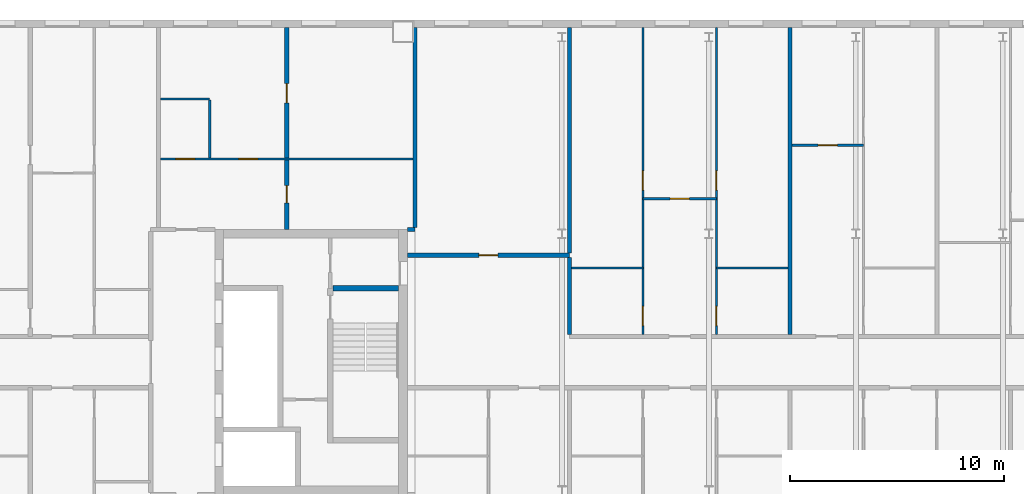
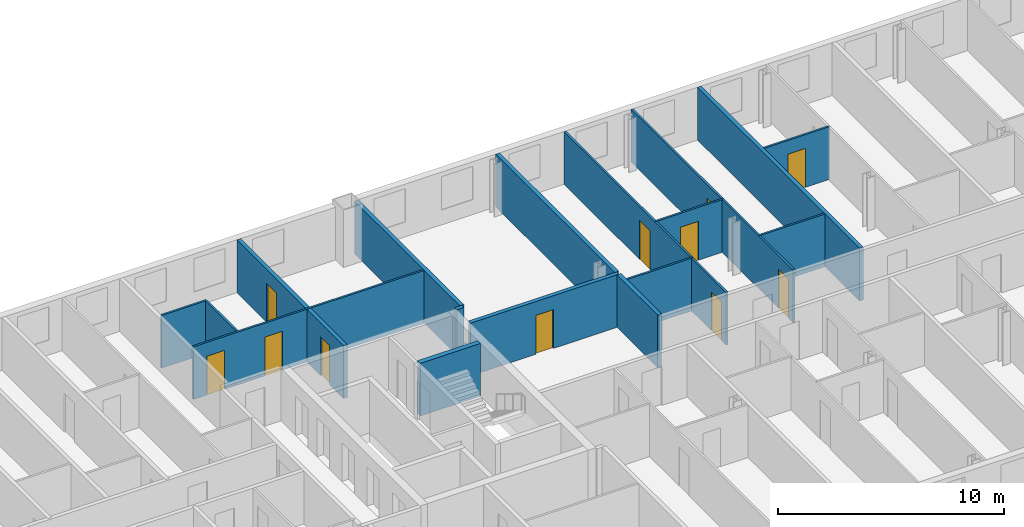
# One storey, part 9 of 19: 17 walls, 11 doors, 11 openings.
"""IFC4 building model written with IfcOpenShell, lengths in metres."""

from ifc_helpers import new_model, si_unit, direction, frame, frame_2d, origin, place, context, subcontext, project, spatial, rectangle, extrude, material, layer, layer_set, type_object, element, fill, save


model = new_model("IFC4")

# Units and contexts
model_context = context("Model", 3, precision=1e-05, world=origin(), true_north=direction((0.0, 1.0)))
body_context = subcontext(model_context, "Body", "Model", "MODEL_VIEW")
ifc_project = project(units=[si_unit("LENGTHUNIT", "METRE"), si_unit("AREAUNIT", "SQUARE_METRE"), si_unit("VOLUMEUNIT", "CUBIC_METRE"), si_unit("PLANEANGLEUNIT", "RADIAN"), si_unit("MASSUNIT", "GRAM", prefix="KILO")], contexts=[model_context])

# Site, building, storey
site_placement = place(None, origin())
site = spatial("IfcSite", under=ifc_project, at=site_placement, CompositionType="ELEMENT")
building_placement = place(site_placement, origin())
building = spatial("IfcBuilding", under=site, at=building_placement, Name="Tuart Gate Housing", CompositionType="ELEMENT")
storey_placement = place(building_placement, frame((0.0, 0.0, 202.800048828125)))
storey = spatial("IfcBuildingStorey", under=building, at=storey_placement, Name="L57", CompositionType="ELEMENT", Elevation=202.800048828125)

# Wall
ifc_material_1 = material(Name="Concrete C40", Category="concrete")
ifc_layer_1 = layer(ifc_material_1, 0.25)
ifc_layer_set_1 = layer_set([ifc_layer_1], Name="Core wall 250 C40")
wall_type_1 = type_object("IfcWallType", Name="Core wall 250 C40", PredefinedType="SHEAR", material=ifc_layer_set_1)
wall_1_placement = place(storey_placement, frame((72.1650390625, 73.449951171875, 0.0), z_axis=(0.0, 0.0, 1.0), x_axis=(1.0, 0.0, 0.0)))
element("IfcWall", 1, at=wall_1_placement, inside=storey, type_object=wall_type_1, Name="Core wall AG.5", PredefinedType="SHEAR", context=body_context, shape_type="SweptSolid", body=[
    extrude(rectangle(XDim=3.074951171875, YDim=0.25, at=frame_2d((1.53759765625, 0.0))), origin(), (0.0, 0.0, 1.0), 2.849853515625),
])

# Wall, opening, door
ifc_material_2 = material(Name="Concrete masonry 15 MPa", Category="masonry")
ifc_layer_2 = layer(ifc_material_2, 0.199951171875)
ifc_layer_set_2 = layer_set([ifc_layer_2], Name="Corridor wall masonry 200")
wall_type_2 = type_object("IfcWallType", Name="Corridor wall masonry 200", PredefinedType="PARTITIONING", material=ifc_layer_set_2)
wall_2_placement = place(storey_placement, frame((75.639892578125, 75.0, 0.0), z_axis=(0.0, 0.0, 1.0), x_axis=(1.0, 0.0, 0.0)))
wall_2 = element("IfcWall", 2, at=wall_2_placement, inside=storey, type_object=wall_type_2, Name="Corridor wall masonry 200", PredefinedType="PARTITIONING", context=body_context, shape_type="SweptSolid", body=[
    extrude(rectangle(XDim=7.585205078125, YDim=0.199951171875, at=frame_2d((3.79248046875, 0.0))), origin(), (0.0, 0.0, 1.0), 2.849853515625),
])
opening_1_placement = place(wall_2_placement, frame((3.342529296875, 0.0, 0.0)))
opening_1 = element("IfcOpeningElement", 3, at=opening_1_placement, cuts=wall_2, Name="Opening D2021", PredefinedType="OPENING", context=body_context, shape_type="SweptSolid", body=[
    extrude(rectangle(XDim=0.89990234375, YDim=2.10009765625, at=frame_2d((0.449951171875, 1.050048828125))), frame((0.0, 0.10986328125, 0.0), z_axis=(0.0, -1.0, 0.0), x_axis=(1.0, 0.0, 0.0)), (0.0, 0.0, 1.0), 0.219970703125),
])
ifc_material_3 = material(Name="Timber door leaf in steel frame", Category="steel")
door_type_1 = type_object("IfcDoorType", Name="Internal door 900", OperationType="SINGLE_SWING_LEFT", PredefinedType="DOOR", material=ifc_material_3)
door_1_placement = place(opening_1_placement, origin())
door_1 = element("IfcDoor", 4, at=door_1_placement, inside=storey, type_object=door_type_1, Name="Internal door", OperationType="SINGLE_SWING_LEFT", OverallHeight=2.10009765625, OverallWidth=0.89990234375, PredefinedType="DOOR", context=body_context, shape_type="SweptSolid", body=[
    extrude(rectangle(XDim=0.89990234375, YDim=2.10009765625, at=frame_2d((0.449951171875, 1.050048828125))), frame((0.0, 0.02490234375, 0.0), z_axis=(0.0, -1.0, 0.0), x_axis=(1.0, 0.0, 0.0)), (0.0, 0.0, 1.0), 0.050048828125),
])
fill(opening_1, door_1)

# Walls
wall_3_placement = place(storey_placement, frame((83.22509765625, 71.300048828125, 0.0), z_axis=(0.0, 0.0, 1.0), x_axis=(0.0, 1.0, 0.0)))
element("IfcWall", 5, at=wall_3_placement, inside=storey, type_object=wall_type_2, Name="Corridor wall masonry 200", PredefinedType="PARTITIONING", context=body_context, shape_type="SweptSolid", body=[
    extrude(rectangle(XDim=3.599853515625, YDim=0.199951171875, at=frame_2d((1.7998046875, 0.0))), origin(), (0.0, 0.0, 1.0), 2.849853515625),
])
ifc_material_4 = material(Name="Gypsum board on steel studs", Category="steel")
ifc_layer_3 = layer(ifc_material_4, 0.10009765625)
ifc_layer_set_3 = layer_set([ifc_layer_3], Name="Partition 100")
wall_type_3 = type_object("IfcWallType", Name="Partition 100", PredefinedType="PARTITIONING", material=ifc_layer_set_3)
wall_4_placement = place(storey_placement, frame((83.324951171875, 74.39990234375, 0.0), z_axis=(0.0, 0.0, 1.0), x_axis=(1.0, 0.0, 0.0)))
element("IfcWall", 6, at=wall_4_placement, inside=storey, type_object=wall_type_3, Name="Partition 100", PredefinedType="PARTITIONING", context=body_context, shape_type="SweptSolid", body=[
    extrude(rectangle(XDim=3.337158203125, YDim=0.10009765625, at=frame_2d((1.66845703125, 0.0))), origin(), (0.0, 0.0, 1.0), 2.849853515625),
])
wall_5_placement = place(storey_placement, frame((90.10009765625, 74.39990234375, 0.0), z_axis=(0.0, 0.0, 1.0), x_axis=(1.0, 0.0, 0.0)))
element("IfcWall", 7, at=wall_5_placement, inside=storey, type_object=wall_type_3, Name="Partition 100", PredefinedType="PARTITIONING", context=body_context, shape_type="SweptSolid", body=[
    extrude(rectangle(XDim=3.3369140625, YDim=0.10009765625, at=frame_2d((1.66845703125, 0.0))), origin(), (0.0, 0.0, 1.0), 2.849853515625),
])

# Wall, opening, door
wall_6_placement = place(storey_placement, frame((86.662109375, 77.639892578125, 0.0), z_axis=(0.0, 0.0, 1.0), x_axis=(1.0, 0.0, 0.0)))
wall_6 = element("IfcWall", 8, at=wall_6_placement, inside=storey, type_object=wall_type_3, Name="Partition 100", PredefinedType="PARTITIONING", context=body_context, shape_type="SweptSolid", body=[
    extrude(rectangle(XDim=3.43798828125, YDim=0.10009765625, at=frame_2d((1.718994140625, 0.0))), origin(), (0.0, 0.0, 1.0), 2.849853515625),
])
opening_2_placement = place(wall_6_placement, frame((1.26904296875, 0.0, 0.0)))
opening_2 = element("IfcOpeningElement", 9, at=opening_2_placement, cuts=wall_6, Name="Opening D2017", PredefinedType="OPENING", context=body_context, shape_type="SweptSolid", body=[
    extrude(rectangle(XDim=0.89990234375, YDim=2.10009765625, at=frame_2d((0.449951171875, 1.050048828125))), frame((0.0, 0.06005859375, 0.0), z_axis=(0.0, -1.0, 0.0), x_axis=(1.0, 0.0, 0.0)), (0.0, 0.0, 1.0), 0.1201171875),
])
ifc_material_5 = material(Name="Timber door leaf in steel frame", Category="steel")
door_type_2 = type_object("IfcDoorType", Name="Internal door 900 RH", OperationType="SINGLE_SWING_RIGHT", PredefinedType="DOOR", material=ifc_material_5)
door_2_placement = place(opening_2_placement, frame((0.89990234375, 0.0, 0.0), z_axis=(0.0, 0.0, 1.0), x_axis=(-1.0, 0.0, 0.0)))
door_2 = element("IfcDoor", 10, at=door_2_placement, inside=storey, type_object=door_type_2, Name="Internal door", OperationType="SINGLE_SWING_RIGHT", OverallHeight=2.10009765625, OverallWidth=0.89990234375, PredefinedType="DOOR", context=body_context, shape_type="SweptSolid", body=[
    extrude(rectangle(XDim=0.89990234375, YDim=2.10009765625, at=frame_2d((0.449951171875, 1.050048828125))), frame((0.0, 0.025146484375, 0.0), z_axis=(0.0, -1.0, 0.0), x_axis=(1.0, 0.0, 0.0)), (0.0, 0.0, 1.0), 0.050048828125),
])
fill(opening_2, door_2)

# Wall, openings, doors
wall_7_placement = place(storey_placement, frame((64.10009765625, 79.5, 0.0), z_axis=(0.0, 0.0, 1.0), x_axis=(1.0, 0.0, 0.0)))
wall_7 = element("IfcWall", 11, at=wall_7_placement, inside=storey, type_object=wall_type_3, Name="Partition 100", PredefinedType="PARTITIONING", context=body_context, shape_type="SweptSolid", body=[
    extrude(rectangle(XDim=11.7998046875, YDim=0.10009765625, at=frame_2d((5.89990234375, 0.0))), origin(), (0.0, 0.0, 1.0), 2.849853515625),
])
opening_3_placement = place(wall_7_placement, frame((3.64990234375, 0.0, 0.0)))
opening_3 = element("IfcOpeningElement", 12, at=opening_3_placement, cuts=wall_7, Name="Opening D1953", PredefinedType="OPENING", context=body_context, shape_type="SweptSolid", body=[
    extrude(rectangle(XDim=0.89990234375, YDim=2.10009765625, at=frame_2d((0.449951171875, 1.050048828125))), frame((0.0, 0.06005859375, 0.0), z_axis=(0.0, -1.0, 0.0), x_axis=(1.0, 0.0, 0.0)), (0.0, 0.0, 1.0), 0.1201171875),
])
opening_4_placement = place(wall_7_placement, frame((0.699951171875, 0.0, 0.0)))
opening_4 = element("IfcOpeningElement", 13, at=opening_4_placement, cuts=wall_7, Name="Opening D1952", PredefinedType="OPENING", context=body_context, shape_type="SweptSolid", body=[
    extrude(rectangle(XDim=0.89990234375, YDim=2.10009765625, at=frame_2d((0.449951171875, 1.050048828125))), frame((0.0, 0.06005859375, 0.0), z_axis=(0.0, -1.0, 0.0), x_axis=(1.0, 0.0, 0.0)), (0.0, 0.0, 1.0), 0.1201171875),
])
ifc_material_6 = material(Name="Timber door leaf in steel frame", Category="steel")
door_type_3 = type_object("IfcDoorType", Name="Bathroom door 900 RH", OperationType="SINGLE_SWING_RIGHT", PredefinedType="DOOR", material=ifc_material_6)
door_3_placement = place(opening_4_placement, origin())
door_3 = element("IfcDoor", 14, at=door_3_placement, inside=storey, type_object=door_type_3, Name="Bathroom door", OperationType="SINGLE_SWING_RIGHT", OverallHeight=2.10009765625, OverallWidth=0.89990234375, PredefinedType="DOOR", context=body_context, shape_type="SweptSolid", body=[
    extrude(rectangle(XDim=0.89990234375, YDim=2.10009765625, at=frame_2d((0.449951171875, 1.050048828125))), frame((0.0, 0.02490234375, 0.0), z_axis=(0.0, -1.0, 0.0), x_axis=(1.0, 0.0, 0.0)), (0.0, 0.0, 1.0), 0.050048828125),
])
fill(opening_4, door_3)
door_4_placement = place(opening_3_placement, frame((0.89990234375, 0.0, 0.0), z_axis=(0.0, 0.0, 1.0), x_axis=(-1.0, 0.0, 0.0)))
door_4 = element("IfcDoor", 15, at=door_4_placement, inside=storey, type_object=door_type_1, Name="Internal door", OperationType="SINGLE_SWING_LEFT", OverallHeight=2.10009765625, OverallWidth=0.89990234375, PredefinedType="DOOR", context=body_context, shape_type="SweptSolid", body=[
    extrude(rectangle(XDim=0.89990234375, YDim=2.10009765625, at=frame_2d((0.449951171875, 1.050048828125))), frame((0.0, 0.025146484375, 0.0), z_axis=(0.0, -1.0, 0.0), x_axis=(1.0, 0.0, 0.0)), (0.0, 0.0, 1.0), 0.050048828125),
])
fill(opening_3, door_4)

# Wall, opening, door
wall_8_placement = place(storey_placement, frame((93.636962890625, 80.139892578125, 0.0), z_axis=(0.0, 0.0, 1.0), x_axis=(1.0, 0.0, 0.0)))
wall_8 = element("IfcWall", 16, at=wall_8_placement, inside=storey, type_object=wall_type_3, Name="Partition 100", PredefinedType="PARTITIONING", context=body_context, shape_type="SweptSolid", body=[
    extrude(rectangle(XDim=3.338134765625, YDim=0.10009765625, at=frame_2d((1.6689453125, 0.0))), origin(), (0.0, 0.0, 1.0), 2.849853515625),
])
opening_5_placement = place(wall_8_placement, frame((1.218994140625, 0.0, 0.0)))
opening_5 = element("IfcOpeningElement", 17, at=opening_5_placement, cuts=wall_8, Name="Opening D2002", PredefinedType="OPENING", context=body_context, shape_type="SweptSolid", body=[
    extrude(rectangle(XDim=0.89990234375, YDim=2.10009765625, at=frame_2d((0.449951171875, 1.050048828125))), frame((0.0, 0.06005859375, 0.0), z_axis=(0.0, -1.0, 0.0), x_axis=(1.0, 0.0, 0.0)), (0.0, 0.0, 1.0), 0.1201171875),
])
door_5_placement = place(opening_5_placement, frame((0.89990234375, 0.0, 0.0), z_axis=(0.0, 0.0, 1.0), x_axis=(-1.0, 0.0, 0.0)))
door_5 = element("IfcDoor", 18, at=door_5_placement, inside=storey, type_object=door_type_1, Name="Internal door", OperationType="SINGLE_SWING_LEFT", OverallHeight=2.10009765625, OverallWidth=0.89990234375, PredefinedType="DOOR", context=body_context, shape_type="SweptSolid", body=[
    extrude(rectangle(XDim=0.89990234375, YDim=2.10009765625, at=frame_2d((0.449951171875, 1.050048828125))), frame((0.0, 0.025146484375, 0.0), z_axis=(0.0, -1.0, 0.0), x_axis=(1.0, 0.0, 0.0)), (0.0, 0.0, 1.0), 0.050048828125),
])
fill(opening_5, door_5)

# Walls
wall_9_placement = place(storey_placement, frame((64.10009765625, 82.300048828125, 0.0), z_axis=(0.0, 0.0, 1.0), x_axis=(1.0, 0.0, 0.0)))
element("IfcWall", 19, at=wall_9_placement, inside=storey, type_object=wall_type_3, Name="Partition 100", PredefinedType="PARTITIONING", context=body_context, shape_type="SweptSolid", body=[
    extrude(rectangle(XDim=2.2998046875, YDim=0.10009765625, at=frame_2d((1.14990234375, 0.0))), origin(), (0.0, 0.0, 1.0), 2.849853515625),
])
wall_10_placement = place(storey_placement, frame((66.39990234375, 79.550048828125, 0.0), z_axis=(0.0, 0.0, 1.0), x_axis=(0.0, 1.0, 0.0)))
element("IfcWall", 20, at=wall_10_placement, inside=storey, type_object=wall_type_3, Name="Partition 100", PredefinedType="PARTITIONING", context=body_context, shape_type="SweptSolid", body=[
    extrude(rectangle(XDim=2.699951171875, YDim=0.10009765625, at=frame_2d((1.35009765625, 0.0))), origin(), (0.0, 0.0, 1.0), 2.849853515625),
])

# Wall, openings, doors
wall_11_placement = place(storey_placement, frame((86.662109375, 71.300048828125, 0.0), z_axis=(0.0, 0.0, 1.0), x_axis=(0.0, 1.0, 0.0)))
wall_11 = element("IfcWall", 21, at=wall_11_placement, inside=storey, type_object=wall_type_3, Name="Partition 100", PredefinedType="PARTITIONING", context=body_context, shape_type="SweptSolid", body=[
    extrude(rectangle(XDim=14.33984375, YDim=0.10009765625, at=frame_2d((7.169921875, 0.0))), origin(), (0.0, 0.0, 1.0), 2.849853515625),
])
opening_6_placement = place(wall_11_placement, frame((6.739990234375, 0.0, 0.0)))
opening_6 = element("IfcOpeningElement", 22, at=opening_6_placement, cuts=wall_11, Name="Opening D2004", PredefinedType="OPENING", context=body_context, shape_type="SweptSolid", body=[
    extrude(rectangle(XDim=0.89990234375, YDim=2.10009765625, at=frame_2d((0.449951171875, 1.050048828125))), frame((0.0, 0.06005859375, 0.0), z_axis=(0.0, -1.0, 0.0), x_axis=(1.0, 0.0, 0.0)), (0.0, 0.0, 1.0), 0.1201171875),
])
opening_7_placement = place(wall_11_placement, frame((0.39990234375, 0.0, 0.0)))
opening_7 = element("IfcOpeningElement", 23, at=opening_7_placement, cuts=wall_11, Name="Opening D2003", PredefinedType="OPENING", context=body_context, shape_type="SweptSolid", body=[
    extrude(rectangle(XDim=0.89990234375, YDim=2.10009765625, at=frame_2d((0.449951171875, 1.050048828125))), frame((0.0, 0.06005859375, 0.0), z_axis=(0.0, -1.0, 0.0), x_axis=(1.0, 0.0, 0.0)), (0.0, 0.0, 1.0), 0.1201171875),
])
ifc_material_7 = material(Name="Timber door leaf in steel frame", Category="steel")
door_type_4 = type_object("IfcDoorType", Name="Bathroom door 900", OperationType="SINGLE_SWING_LEFT", PredefinedType="DOOR", material=ifc_material_7)
door_6_placement = place(opening_7_placement, origin())
door_6 = element("IfcDoor", 24, at=door_6_placement, inside=storey, type_object=door_type_4, Name="Bathroom door", OperationType="SINGLE_SWING_LEFT", OverallHeight=2.10009765625, OverallWidth=0.89990234375, PredefinedType="DOOR", context=body_context, shape_type="SweptSolid", body=[
    extrude(rectangle(XDim=0.89990234375, YDim=2.10009765625, at=frame_2d((0.449951171875, 1.050048828125))), frame((0.0, 0.02490234375, 0.0), z_axis=(0.0, -1.0, 0.0), x_axis=(1.0, 0.0, 0.0)), (0.0, 0.0, 1.0), 0.050048828125),
])
fill(opening_7, door_6)
door_7_placement = place(opening_6_placement, origin())
door_7 = element("IfcDoor", 25, at=door_7_placement, inside=storey, type_object=door_type_1, Name="Internal door", OperationType="SINGLE_SWING_LEFT", OverallHeight=2.10009765625, OverallWidth=0.89990234375, PredefinedType="DOOR", context=body_context, shape_type="SweptSolid", body=[
    extrude(rectangle(XDim=0.89990234375, YDim=2.10009765625, at=frame_2d((0.449951171875, 1.050048828125))), frame((0.0, 0.02490234375, 0.0), z_axis=(0.0, -1.0, 0.0), x_axis=(1.0, 0.0, 0.0)), (0.0, 0.0, 1.0), 0.050048828125),
])
fill(opening_6, door_7)

wall_12_placement = place(storey_placement, frame((90.10009765625, 71.300048828125, 0.0), z_axis=(0.0, 0.0, 1.0), x_axis=(0.0, 1.0, 0.0)))
wall_12 = element("IfcWall", 26, at=wall_12_placement, inside=storey, type_object=wall_type_3, Name="Partition 100", PredefinedType="PARTITIONING", context=body_context, shape_type="SweptSolid", body=[
    extrude(rectangle(XDim=14.33984375, YDim=0.10009765625, at=frame_2d((7.169921875, 0.0))), origin(), (0.0, 0.0, 1.0), 2.849853515625),
])
opening_8_placement = place(wall_12_placement, frame((6.739990234375, 0.0, 0.0)))
opening_8 = element("IfcOpeningElement", 27, at=opening_8_placement, cuts=wall_12, Name="Opening D2006", PredefinedType="OPENING", context=body_context, shape_type="SweptSolid", body=[
    extrude(rectangle(XDim=0.89990234375, YDim=2.10009765625, at=frame_2d((0.449951171875, 1.050048828125))), frame((0.0, 0.06005859375, 0.0), z_axis=(0.0, -1.0, 0.0), x_axis=(1.0, 0.0, 0.0)), (0.0, 0.0, 1.0), 0.1201171875),
])
opening_9_placement = place(wall_12_placement, frame((0.39990234375, 0.0, 0.0)))
opening_9 = element("IfcOpeningElement", 28, at=opening_9_placement, cuts=wall_12, Name="Opening D2005", PredefinedType="OPENING", context=body_context, shape_type="SweptSolid", body=[
    extrude(rectangle(XDim=0.89990234375, YDim=2.10009765625, at=frame_2d((0.449951171875, 1.050048828125))), frame((0.0, 0.06005859375, 0.0), z_axis=(0.0, -1.0, 0.0), x_axis=(1.0, 0.0, 0.0)), (0.0, 0.0, 1.0), 0.1201171875),
])
door_8_placement = place(opening_9_placement, frame((0.89990234375, 0.0, 0.0), z_axis=(0.0, 0.0, 1.0), x_axis=(-1.0, 0.0, 0.0)))
door_8 = element("IfcDoor", 29, at=door_8_placement, inside=storey, type_object=door_type_3, Name="Bathroom door", OperationType="SINGLE_SWING_RIGHT", OverallHeight=2.10009765625, OverallWidth=0.89990234375, PredefinedType="DOOR", context=body_context, shape_type="SweptSolid", body=[
    extrude(rectangle(XDim=0.89990234375, YDim=2.10009765625, at=frame_2d((0.449951171875, 1.050048828125))), frame((0.0, 0.025146484375, 0.0), z_axis=(0.0, -1.0, 0.0), x_axis=(1.0, 0.0, 0.0)), (0.0, 0.0, 1.0), 0.050048828125),
])
fill(opening_9, door_8)
door_9_placement = place(opening_8_placement, frame((0.89990234375, 0.0, 0.0), z_axis=(0.0, 0.0, 1.0), x_axis=(-1.0, 0.0, 0.0)))
door_9 = element("IfcDoor", 30, at=door_9_placement, inside=storey, type_object=door_type_2, Name="Internal door", OperationType="SINGLE_SWING_RIGHT", OverallHeight=2.10009765625, OverallWidth=0.89990234375, PredefinedType="DOOR", context=body_context, shape_type="SweptSolid", body=[
    extrude(rectangle(XDim=0.89990234375, YDim=2.10009765625, at=frame_2d((0.449951171875, 1.050048828125))), frame((0.0, 0.025146484375, 0.0), z_axis=(0.0, -1.0, 0.0), x_axis=(1.0, 0.0, 0.0)), (0.0, 0.0, 1.0), 0.050048828125),
])
fill(opening_8, door_9)

ifc_material_8 = material(Name="Concrete C40", Category="concrete")
ifc_layer_4 = layer(ifc_material_8, 0.199951171875)
ifc_layer_set_4 = layer_set([ifc_layer_4], Name="Party wall concrete C40 200")
wall_type_4 = type_object("IfcWallType", Name="Party wall concrete C40 200", PredefinedType="SOLIDWALL", material=ifc_layer_set_4)
wall_13_placement = place(storey_placement, frame((70.0, 76.199951171875, 0.0), z_axis=(0.0, 0.0, 1.0), x_axis=(0.0, 1.0, 0.0)))
wall_13 = element("IfcWall", 31, at=wall_13_placement, inside=storey, type_object=wall_type_4, Name="Party wall concrete C40 200", PredefinedType="SOLIDWALL", context=body_context, shape_type="SweptSolid", body=[
    extrude(rectangle(XDim=9.43994140625, YDim=0.199951171875, at=frame_2d((4.719970703125, 0.0))), origin(), (0.0, 0.0, 1.0), 2.849853515625),
])
opening_10_placement = place(wall_13_placement, frame((5.919921875, 0.0, 0.0)))
opening_10 = element("IfcOpeningElement", 32, at=opening_10_placement, cuts=wall_13, Name="Opening D1948", PredefinedType="OPENING", context=body_context, shape_type="SweptSolid", body=[
    extrude(rectangle(XDim=0.89990234375, YDim=2.10009765625, at=frame_2d((0.449951171875, 1.050048828125))), frame((0.0, 0.10986328125, 0.0), z_axis=(0.0, -1.0, 0.0), x_axis=(1.0, 0.0, 0.0)), (0.0, 0.0, 1.0), 0.219970703125),
])
opening_11_placement = place(wall_13_placement, frame((1.25, 0.0, 0.0)))
opening_11 = element("IfcOpeningElement", 33, at=opening_11_placement, cuts=wall_13, Name="Opening D1949", PredefinedType="OPENING", context=body_context, shape_type="SweptSolid", body=[
    extrude(rectangle(XDim=0.800048828125, YDim=2.10009765625, at=frame_2d((0.39990234375, 1.050048828125))), frame((0.0, 0.10986328125, 0.0), z_axis=(0.0, -1.0, 0.0), x_axis=(1.0, 0.0, 0.0)), (0.0, 0.0, 1.0), 0.219970703125),
])
door_10_placement = place(opening_10_placement, frame((0.89990234375, 0.0, 0.0), z_axis=(0.0, 0.0, 1.0), x_axis=(-1.0, 0.0, 0.0)))
door_10 = element("IfcDoor", 34, at=door_10_placement, inside=storey, type_object=door_type_2, Name="Internal door", OperationType="SINGLE_SWING_RIGHT", OverallHeight=2.10009765625, OverallWidth=0.89990234375, PredefinedType="DOOR", context=body_context, shape_type="SweptSolid", body=[
    extrude(rectangle(XDim=0.89990234375, YDim=2.10009765625, at=frame_2d((0.449951171875, 1.050048828125))), frame((0.0, 0.025146484375, 0.0), z_axis=(0.0, -1.0, 0.0), x_axis=(1.0, 0.0, 0.0)), (0.0, 0.0, 1.0), 0.050048828125),
])
fill(opening_10, door_10)
ifc_material_9 = material(Name="Timber door leaf in steel frame", Category="steel")
door_type_5 = type_object("IfcDoorType", Name="Store door 800 RH", OperationType="SINGLE_SWING_RIGHT", PredefinedType="DOOR", material=ifc_material_9)
door_11_placement = place(opening_11_placement, frame((0.800048828125, 0.0, 0.0), z_axis=(0.0, 0.0, 1.0), x_axis=(-1.0, 0.0, 0.0)))
door_11 = element("IfcDoor", 35, at=door_11_placement, inside=storey, type_object=door_type_5, Name="Store door", OperationType="SINGLE_SWING_RIGHT", OverallHeight=2.10009765625, OverallWidth=0.800048828125, PredefinedType="DOOR", context=body_context, shape_type="SweptSolid", body=[
    extrude(rectangle(XDim=0.800048828125, YDim=2.10009765625, at=frame_2d((0.400146484375, 1.050048828125))), frame((0.0, 0.025146484375, 0.0), z_axis=(0.0, -1.0, 0.0), x_axis=(1.0, 0.0, 0.0)), (0.0, 0.0, 1.0), 0.050048828125),
])
fill(opening_11, door_11)

# Walls
ifc_material_10 = material(Name="Concrete masonry 15 MPa", Category="masonry")
ifc_layer_5 = layer(ifc_material_10, 0.199951171875)
ifc_layer_set_5 = layer_set([ifc_layer_5], Name="Party wall masonry 200")
wall_type_5 = type_object("IfcWallType", Name="Party wall masonry 200", PredefinedType="PARTITIONING", material=ifc_layer_set_5)
wall_14_placement = place(storey_placement, frame((75.639892578125, 76.199951171875, 0.0), z_axis=(0.0, 0.0, 1.0), x_axis=(1.0, 0.0, 0.0)))
element("IfcWall", 36, at=wall_14_placement, inside=storey, type_object=wall_type_5, Name="Party wall masonry 200", PredefinedType="PARTITIONING", context=body_context, shape_type="SweptSolid", body=[
    extrude(rectangle(XDim=0.360107421875, YDim=0.199951171875, at=frame_2d((0.18017578125, 0.0))), origin(), (0.0, 0.0, 1.0), 2.849853515625),
])
wall_15_placement = place(storey_placement, frame((76.0, 76.300048828125, 0.0), z_axis=(0.0, 0.0, 1.0), x_axis=(0.0, 1.0, 0.0)))
element("IfcWall", 37, at=wall_15_placement, inside=storey, type_object=wall_type_5, Name="Party wall masonry 200", PredefinedType="PARTITIONING", context=body_context, shape_type="SweptSolid", body=[
    extrude(rectangle(XDim=9.33984375, YDim=0.199951171875, at=frame_2d((4.669921875, 0.0))), origin(), (0.0, 0.0, 1.0), 2.849853515625),
])
wall_16_placement = place(storey_placement, frame((83.22509765625, 75.10009765625, 0.0), z_axis=(0.0, 0.0, 1.0), x_axis=(0.0, 1.0, 0.0)))
element("IfcWall", 38, at=wall_16_placement, inside=storey, type_object=wall_type_5, Name="Party wall masonry 200", PredefinedType="PARTITIONING", context=body_context, shape_type="SweptSolid", body=[
    extrude(rectangle(XDim=10.539794921875, YDim=0.199951171875, at=frame_2d((5.27001953125, 0.0))), origin(), (0.0, 0.0, 1.0), 2.849853515625),
])
wall_17_placement = place(storey_placement, frame((93.537109375, 71.300048828125, 0.0), z_axis=(0.0, 0.0, 1.0), x_axis=(0.0, 1.0, 0.0)))
element("IfcWall", 39, at=wall_17_placement, inside=storey, type_object=wall_type_5, Name="Party wall masonry 200", PredefinedType="PARTITIONING", context=body_context, shape_type="SweptSolid", body=[
    extrude(rectangle(XDim=14.33984375, YDim=0.199951171875, at=frame_2d((7.169921875, 0.0))), origin(), (0.0, 0.0, 1.0), 2.849853515625),
])

save(model, "model.ifc")
